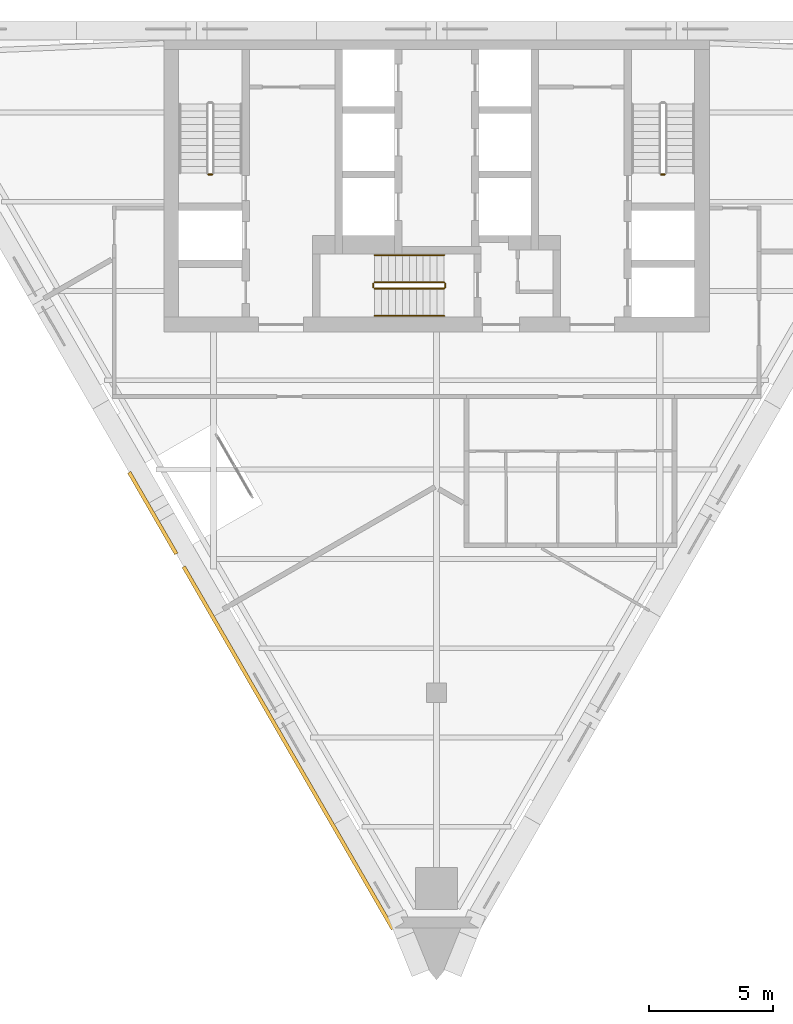
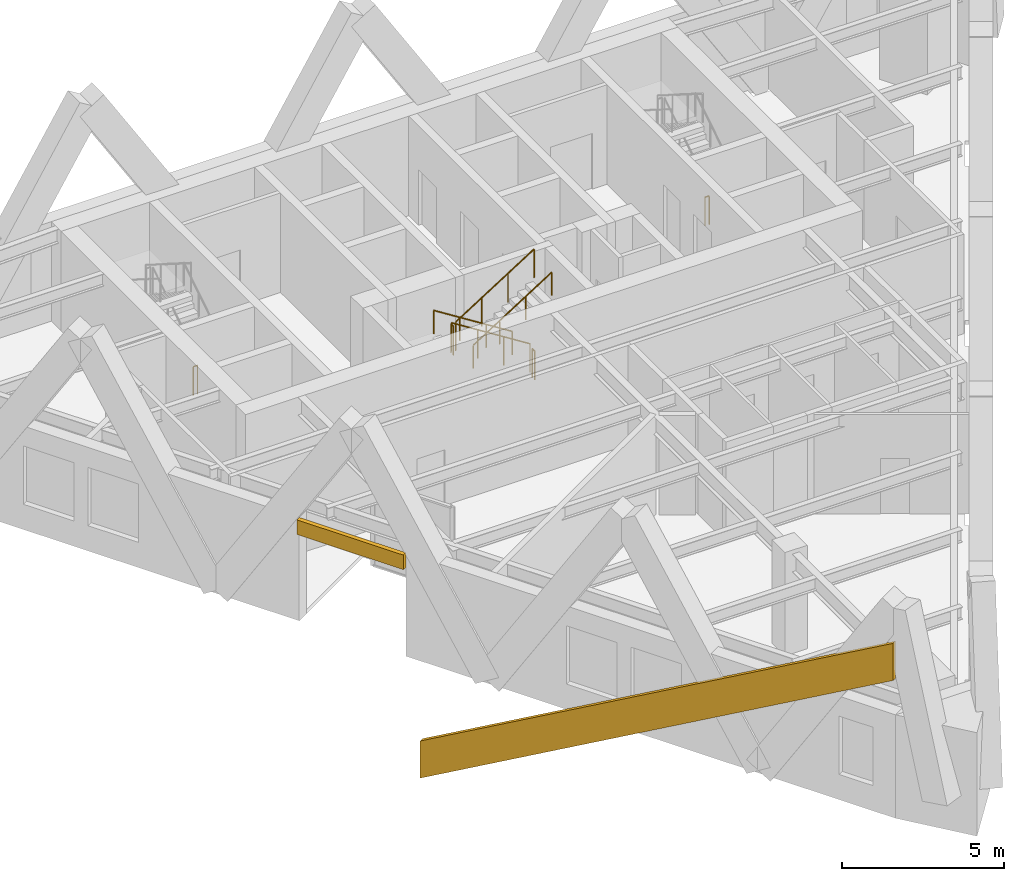
# One storey, part 8 of 9: 8 railings, 2 coverings.
"""IFC4 building model written with IfcOpenShell, lengths in metres."""

from ifc_helpers import new_model, si_unit, direction, frame, origin, origin_2d, place, context, subcontext, project, spatial, polyline, circle, outline, extrude, material, layer, layer_set, type_object, element, save


model = new_model("IFC4")

# Units and contexts
model_context = context("Model", 3, precision=1e-05, world=origin(), true_north=direction((0.0, 1.0)))
body_context = subcontext(model_context, "Body", "Model", "MODEL_VIEW")
ifc_project = project(units=[si_unit("LENGTHUNIT", "METRE"), si_unit("AREAUNIT", "SQUARE_METRE"), si_unit("VOLUMEUNIT", "CUBIC_METRE"), si_unit("PLANEANGLEUNIT", "RADIAN"), si_unit("MASSUNIT", "GRAM", prefix="KILO")], contexts=[model_context])

# Site, building, storey
site_placement = place(None, origin())
site = spatial("IfcSite", under=ifc_project, at=site_placement, CompositionType="ELEMENT")
building_placement = place(site_placement, origin())
building = spatial("IfcBuilding", under=site, at=building_placement, Name="Aloe Facet Convention Tower", CompositionType="ELEMENT")
storey_placement = place(building_placement, frame((0.0, 0.0, 203.60009765625)))
storey = spatial("IfcBuildingStorey", under=building, at=storey_placement, Name="L51", CompositionType="ELEMENT", Elevation=203.60009765625)

# Railings
ifc_material_1 = material(Name="Steel S355 balustrade", Category="steel")
railing_type_1 = type_object("IfcRailingType", Name="CR-RL-GUARD", PredefinedType="GUARDRAIL", material=ifc_material_1)
for number, where, name in (
    (1, (70.949951171875, 128.89990234375, 0.0), "L51 ST1 stair guard 4"),
    (2, (89.199951171875, 128.89990234375, 0.0), "L51 ST2 stair guard 4"),
):
    element("IfcRailing", number, at=place(storey_placement, frame(where)), inside=storey, type_object=railing_type_1, Name=name, PredefinedType="GUARDRAIL", context=body_context, shape_type="SweptSolid", body=[
        extrude(circle(Radius=0.02392578125, at=origin_2d()), frame((0.0, 0.0, 1.076171875), z_axis=(-1.0, 0.0, 0.0), x_axis=(0.0, -1.0, 0.0)), (0.0, 0.0, 1.0), 0.14990234375),
        extrude(circle(Radius=0.02099609375, at=origin_2d()), origin(), (0.0, 0.0, 1.0), 1.052001953125),
        extrude(circle(Radius=0.02099609375, at=origin_2d()), frame((-0.14990234375, 0.0, 0.0)), (0.0, 0.0, 1.0), 1.052001953125),
    ])
railing_1_placement = place(storey_placement, frame((80.300048828125, 124.550048828125, 0.17724609375)))
element("IfcRailing", 3, at=railing_1_placement, inside=storey, type_object=railing_type_1, Name="L51 ST3 stair guard 1", PredefinedType="GUARDRAIL", context=body_context, shape_type="SweptSolid", body=[
    extrude(circle(Radius=0.02392578125, at=origin_2d()), frame((0.0, 0.0, 1.076171875), z_axis=(-0.844908973607, 0.0, 0.534910110503), x_axis=(0.0, -1.0, 0.0)), (0.0, 0.0, 1.0), 3.31396484375),
    extrude(circle(Radius=0.02099609375, at=origin_2d()), origin(), (0.0, 0.0, 1.0), 1.052001953125),
    extrude(circle(Radius=0.02099609375, at=origin_2d()), frame((-0.933349609375, 0.0, 0.5908203125)), (0.0, 0.0, 1.0), 1.052001953125),
    extrude(circle(Radius=0.02099609375, at=origin_2d()), frame((-1.86669921875, 0.0, 1.181884765625)), (0.0, 0.0, 1.0), 1.052001953125),
    extrude(circle(Radius=0.02099609375, at=origin_2d()), frame((-2.800048828125, 0.0, 1.772705078125)), (0.0, 0.0, 1.0), 1.052001953125),
])
railing_2_placement = place(storey_placement, frame((77.449951171875, 124.5, 1.949951171875)))
element("IfcRailing", 4, at=railing_2_placement, inside=storey, type_object=railing_type_1, Name="L51 ST3 stair guard 2", PredefinedType="GUARDRAIL", context=body_context, shape_type="SweptSolid", body=[
    extrude(circle(Radius=0.02392578125, at=origin_2d()), frame((0.0, 0.0, 1.076171875), z_axis=(0.0, -1.0, 0.0), x_axis=(1.0, 0.0, 0.0)), (0.0, 0.0, 1.0), 0.14990234375),
    extrude(circle(Radius=0.02099609375, at=origin_2d()), origin(), (0.0, 0.0, 1.0), 1.052001953125),
    extrude(circle(Radius=0.02099609375, at=origin_2d()), frame((0.0, -0.14990234375, 0.0)), (0.0, 0.0, 1.0), 1.052001953125),
])
railing_3_placement = place(storey_placement, frame((77.5, 124.300048828125, 2.127197265625)))
element("IfcRailing", 5, at=railing_3_placement, inside=storey, type_object=railing_type_1, Name="L51 ST3 stair guard 3", PredefinedType="GUARDRAIL", context=body_context, shape_type="SweptSolid", body=[
    extrude(circle(Radius=0.02392578125, at=origin_2d()), frame((0.0, 0.0, 1.076171875), z_axis=(0.844908973607, 0.0, 0.534910110503), x_axis=(0.0, 1.0, 0.0)), (0.0, 0.0, 1.0), 3.31396484375),
    extrude(circle(Radius=0.02099609375, at=origin_2d()), origin(), (0.0, 0.0, 1.0), 1.052001953125),
    extrude(circle(Radius=0.02099609375, at=origin_2d()), frame((0.933349609375, 0.0, 0.5908203125)), (0.0, 0.0, 1.0), 1.052001953125),
    extrude(circle(Radius=0.02099609375, at=origin_2d()), frame((1.86669921875, 0.0, 1.181884765625)), (0.0, 0.0, 1.0), 1.052001953125),
    extrude(circle(Radius=0.02099609375, at=origin_2d()), frame((2.800048828125, 0.0, 1.772705078125)), (0.0, 0.0, 1.0), 1.052001953125),
])
railing_4_placement = place(storey_placement, frame((80.35009765625, 124.5, 0.0)))
element("IfcRailing", 6, at=railing_4_placement, inside=storey, type_object=railing_type_1, Name="L51 ST3 stair guard 4", PredefinedType="GUARDRAIL", context=body_context, shape_type="SweptSolid", body=[
    extrude(circle(Radius=0.02392578125, at=origin_2d()), frame((0.0, 0.0, 1.076171875), z_axis=(0.0, -1.0, 0.0), x_axis=(1.0, 0.0, 0.0)), (0.0, 0.0, 1.0), 0.14990234375),
    extrude(circle(Radius=0.02099609375, at=origin_2d()), origin(), (0.0, 0.0, 1.0), 1.052001953125),
    extrude(circle(Radius=0.02099609375, at=origin_2d()), frame((0.0, -0.14990234375, 0.0)), (0.0, 0.0, 1.0), 1.052001953125),
])
ifc_material_2 = material(Name="Steel S355 handrail", Category="steel")
railing_type_2 = type_object("IfcRailingType", Name="CR-RL-HAND", PredefinedType="HANDRAIL", material=ifc_material_2)
railing_5_placement = place(storey_placement, frame((80.300048828125, 125.64990234375, 0.17724609375)))
element("IfcRailing", 7, at=railing_5_placement, inside=storey, type_object=railing_type_2, Name="L51 ST3 stair handrail 1", PredefinedType="HANDRAIL", context=body_context, shape_type="SweptSolid", body=[
    extrude(circle(Radius=0.02392578125, at=origin_2d()), frame((0.0, 0.0, 0.8759765625), z_axis=(-0.844908973607, 0.0, 0.534910110503), x_axis=(0.0, -1.0, 0.0)), (0.0, 0.0, 1.0), 3.31396484375),
    extrude(circle(Radius=0.02099609375, at=origin_2d()), origin(), (0.0, 0.0, 1.0), 0.851806640625),
    extrude(circle(Radius=0.02099609375, at=origin_2d()), frame((-0.933349609375, 0.0, 0.5908203125)), (0.0, 0.0, 1.0), 0.851806640625),
    extrude(circle(Radius=0.02099609375, at=origin_2d()), frame((-1.86669921875, 0.0, 1.181884765625)), (0.0, 0.0, 1.0), 0.851806640625),
    extrude(circle(Radius=0.02099609375, at=origin_2d()), frame((-2.800048828125, 0.0, 1.772705078125)), (0.0, 0.0, 1.0), 0.851806640625),
])
railing_6_placement = place(storey_placement, frame((77.5, 123.199951171875, 2.127197265625)))
element("IfcRailing", 8, at=railing_6_placement, inside=storey, type_object=railing_type_2, Name="L51 ST3 stair handrail 2", PredefinedType="HANDRAIL", context=body_context, shape_type="SweptSolid", body=[
    extrude(circle(Radius=0.02392578125, at=origin_2d()), frame((0.0, 0.0, 0.8759765625), z_axis=(0.844908973607, 0.0, 0.534910110503), x_axis=(0.0, 1.0, 0.0)), (0.0, 0.0, 1.0), 3.31396484375),
    extrude(circle(Radius=0.02099609375, at=origin_2d()), origin(), (0.0, 0.0, 1.0), 0.851806640625),
    extrude(circle(Radius=0.02099609375, at=origin_2d()), frame((0.933349609375, 0.0, 0.5908203125)), (0.0, 0.0, 1.0), 0.851806640625),
    extrude(circle(Radius=0.02099609375, at=origin_2d()), frame((1.86669921875, 0.0, 1.181884765625)), (0.0, 0.0, 1.0), 0.851806640625),
    extrude(circle(Radius=0.02099609375, at=origin_2d()), frame((2.800048828125, 0.0, 1.772705078125)), (0.0, 0.0, 1.0), 0.851806640625),
])

# Coverings
ifc_material_3 = material(Name="Bronze oxide fascia sheet")
ifc_layer = layer(ifc_material_3, 0.14990234375)
ifc_layer_set = layer_set([ifc_layer], Name="EV-FASCIA-TERR")
covering_type = type_object("IfcCoveringType", Name="EV-FASCIA-TERR", PredefinedType="CLADDING", material=ifc_layer_set)
covering_1_placement = place(storey_placement, frame((0.0, 0.0, 3.199951171875)))
element("IfcCovering", 9, at=covering_1_placement, inside=storey, type_object=covering_type, Name="Terrace fascia T11 head", PredefinedType="CLADDING", context=body_context, shape_type="SweptSolid", body=[
    extrude(outline(polyline([(67.537841796875, 116.855712890625), (69.437744140625, 113.564697265625), (69.567626953125, 113.639892578125), (67.667724609375, 116.9306640625), (67.537841796875, 116.855712890625)])), origin(), (0.0, 0.0, 1.0), 0.550048828125),
])
covering_2_placement = place(storey_placement, frame((69.73779296875, 113.045166015625, -4.4501953125), z_axis=(-0.866024307761, -0.500001898363, 0.0), x_axis=(0.434694015701, -0.752908309485, 0.494135801397)))
element("IfcCovering", 10, at=covering_2_placement, inside=storey, type_object=covering_type, Name="Spiral ribbon zone 4 part 6", PredefinedType="CLADDING", context=body_context, shape_type="SweptSolid", body=[
    extrude(outline(polyline([(0.0, 0.0), (19.398410703384755, 0.0), (20.090152569891547, 1.2170537219689361), (0.6918625051301817, 1.217265974100427), (0.0, 0.0)])), origin(), (0.0, 0.0, -1.0), 0.14990234375),
])

save(model, "model.ifc")
